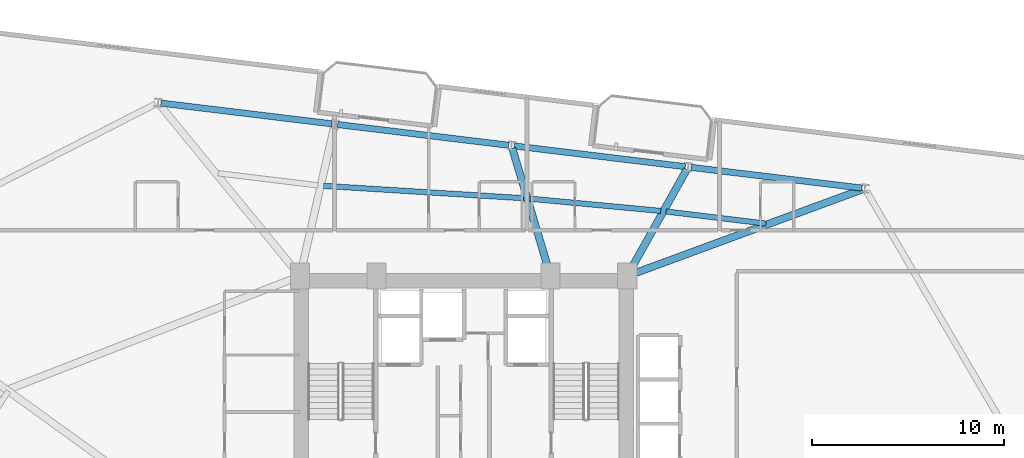
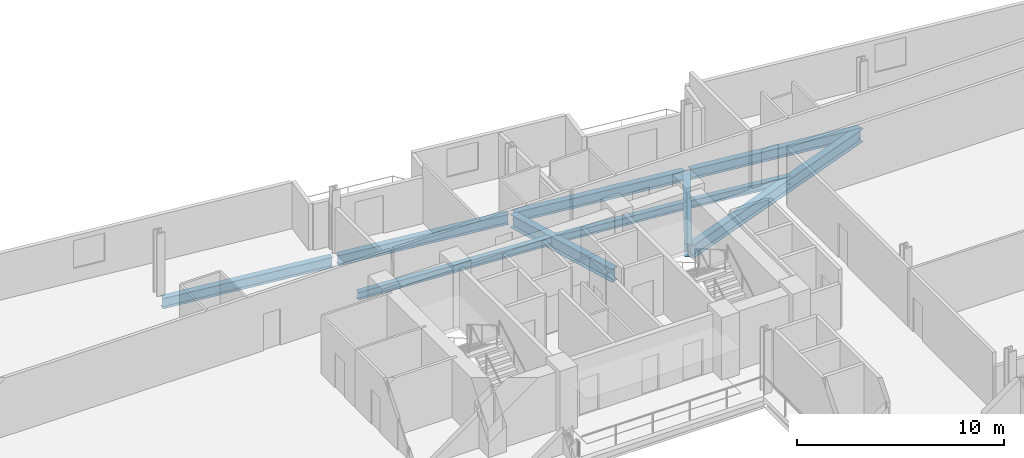
# One storey, part 13 of 26: 10 beams.
"""IFC4 building model written with IfcOpenShell, lengths in metres."""

from ifc_helpers import new_model, si_unit, direction, frame, origin, origin_2d, place, context, subcontext, project, spatial, i_section, extrude, material, material_profile, profile_set, type_object, element, save


model = new_model("IFC4")

# Units and contexts
model_context = context("Model", 3, precision=1e-05, world=origin(), true_north=direction((0.0, 1.0)))
body_context = subcontext(model_context, "Body", "Model", "MODEL_VIEW")
ifc_project = project(units=[si_unit("LENGTHUNIT", "METRE"), si_unit("AREAUNIT", "SQUARE_METRE"), si_unit("VOLUMEUNIT", "CUBIC_METRE"), si_unit("PLANEANGLEUNIT", "RADIAN"), si_unit("MASSUNIT", "GRAM", prefix="KILO")], contexts=[model_context])

# Site, building, storey
site_placement = place(None, origin())
site = spatial("IfcSite", under=ifc_project, at=site_placement, CompositionType="ELEMENT")
building_placement = place(site_placement, origin())
building = spatial("IfcBuilding", under=site, at=building_placement, Name="Varnelok Gate Tower", CompositionType="ELEMENT")
storey_placement = place(building_placement, frame((0.0, 0.0, 129.10009765625)))
storey = spatial("IfcBuildingStorey", under=building, at=storey_placement, Name="L32", CompositionType="ELEMENT", Elevation=129.10009765625)

# Beams
ifc_material = material(Name="Structural Steel ASTM A992 Grade 50", Category="steel")
ifc_material_profile_1 = material_profile(ifc_material, i_section(OverallWidth=0.280029296875, OverallDepth=0.462890625, WebThickness=0.0107421875, FlangeThickness=0.017333984375, FilletRadius=0.014892578125, at=origin_2d()), Name="W18X76")
ifc_profile_set_1 = profile_set([ifc_material_profile_1], Name="Structural Steel ASTM A992 Grade 50")
beam_type_1 = type_object("IfcBeamType", Name="BM-JST-W18X76", PredefinedType="JOIST", material=ifc_profile_set_1)
beam_1_placement = place(storey_placement, frame((54.911865234375, 41.776123046875, -0.481689453125), z_axis=(-0.99273192091, 0.120346720792, 0.0), x_axis=(-0.120346720792, -0.99273192091, 0.0)))
element("IfcBeam", 1, at=beam_1_placement, inside=storey, type_object=beam_type_1, Name="L32 Sector Floor Joist 7", PredefinedType="JOIST", context=body_context, shape_type="SweptSolid", body=[
    extrude(i_section(OverallWidth=0.280029296875, OverallDepth=0.462890625, WebThickness=0.0107421875, FlangeThickness=0.017333984375, FilletRadius=0.014892578125, at=origin_2d()), origin(), (0.0, 0.0, 1.0), 5.223876953125),
])
beam_2_placement = place(storey_placement, frame((49.44775390625, 42.4345703125, -0.481689453125), z_axis=(-0.995647510316, 0.093198901289, 0.0), x_axis=(-0.093198901289, -0.995647510316, 0.0)))
element("IfcBeam", 2, at=beam_2_placement, inside=storey, type_object=beam_type_1, Name="L32 Sector Floor Joist 8", PredefinedType="JOIST", context=body_context, shape_type="SweptSolid", body=[
    extrude(i_section(OverallWidth=0.280029296875, OverallDepth=0.462890625, WebThickness=0.0107421875, FlangeThickness=0.017333984375, FilletRadius=0.014892578125, at=origin_2d()), origin(), (0.0, 0.0, 1.0), 6.82666015625),
])
beam_3_placement = place(storey_placement, frame((42.37158203125, 43.092529296875, -0.481689453125), z_axis=(-0.998101680415, 0.061587624993, 0.0), x_axis=(-0.061587624993, -0.998101680415, 0.0)))
element("IfcBeam", 3, at=beam_3_placement, inside=storey, type_object=beam_type_1, Name="L32 Sector Floor Joist 9", PredefinedType="JOIST", context=body_context, shape_type="SweptSolid", body=[
    extrude(i_section(OverallWidth=0.280029296875, OverallDepth=0.462890625, WebThickness=0.0107421875, FlangeThickness=0.017333984375, FilletRadius=0.014892578125, at=origin_2d()), origin(), (0.0, 0.0, 1.0), 10.47705078125),
])
ifc_material_profile_2 = material_profile(ifc_material, i_section(OverallWidth=0.381103515625, OverallDepth=0.77294921875, WebThickness=0.0166015625, FlangeThickness=0.027099609375, FilletRadius=0.02197265625, at=origin_2d()), Name="W30X173")
ifc_profile_set_2 = profile_set([ifc_material_profile_2], Name="Structural Steel ASTM A992 Grade 50")
beam_type_2 = type_object("IfcBeamType", Name="BM-PRI-W30X173", PredefinedType="BEAM", material=ifc_profile_set_2)
beam_4_placement = place(storey_placement, frame((47.8408203125, 39.101806640625, -0.63671875), z_axis=(0.938296458402, 0.345831976761, 0.0), x_axis=(-0.345831976761, 0.938296458402, 0.0)))
element("IfcBeam", 4, at=beam_4_placement, inside=storey, type_object=beam_type_2, Name="L32 Radial Floor Girder 9", PredefinedType="BEAM", context=body_context, shape_type="SweptSolid", body=[
    extrude(i_section(OverallWidth=0.381103515625, OverallDepth=0.77294921875, WebThickness=0.0166015625, FlangeThickness=0.027099609375, FilletRadius=0.02197265625, at=origin_2d()), origin(), (0.0, 0.0, 1.0), 12.86669921875),
])
beam_5_placement = place(storey_placement, frame((47.773193359375, 39.180908203125, -0.63671875), z_axis=(0.48838490004, 0.872628322605, 0.0), x_axis=(-0.872628322605, 0.48838490004, 0.0)))
element("IfcBeam", 5, at=beam_5_placement, inside=storey, type_object=beam_type_2, Name="L32 Radial Floor Girder 10", PredefinedType="BEAM", context=body_context, shape_type="SweptSolid", body=[
    extrude(i_section(OverallWidth=0.381103515625, OverallDepth=0.77294921875, WebThickness=0.0166015625, FlangeThickness=0.027099609375, FilletRadius=0.02197265625, at=origin_2d()), origin(), (0.0, 0.0, 1.0), 6.193603515625),
])
beam_6_placement = place(storey_placement, frame((43.677001953125, 39.193603515625, -0.63671875), z_axis=(-0.28702069947, 0.957924380145, 0.0), x_axis=(-0.957924380145, -0.28702069947, 0.0)))
element("IfcBeam", 6, at=beam_6_placement, inside=storey, type_object=beam_type_2, Name="L32 Radial Floor Girder 11", PredefinedType="BEAM", context=body_context, shape_type="SweptSolid", body=[
    extrude(i_section(OverallWidth=0.381103515625, OverallDepth=0.77294921875, WebThickness=0.0166015625, FlangeThickness=0.027099609375, FilletRadius=0.02197265625, at=origin_2d()), origin(), (0.0, 0.0, 1.0), 6.777587890625),
])
ifc_material_profile_3 = material_profile(ifc_material, i_section(OverallWidth=0.323974609375, OverallDepth=0.611083984375, WebThickness=0.0126953125, FlangeThickness=0.01904296875, FilletRadius=0.01806640625, at=origin_2d()), Name="W24X104")
ifc_profile_set_3 = profile_set([ifc_material_profile_3], Name="Structural Steel ASTM A992 Grade 50")
beam_type_3 = type_object("IfcBeamType", Name="BM-SPN-W24X104", PredefinedType="SPANDREL", material=ifc_profile_set_3)
for number, where, z_axis, x_axis, name in (
    (7, (59.905517578125, 43.621337890625, -0.5556640625), (-0.99273141198, 0.120350918849, 0.0), (-0.120350918849, -0.99273141198, 0.0), "L32 Perimeter Spandrel Beam 9"),
    (8, (50.72265625, 44.734619140625, -0.5556640625), (-0.992734670707, 0.120324035735, 0.0), (-0.120324035735, -0.992734670707, 0.0), "L32 Perimeter Spandrel Beam 10"),
    (9, (41.539794921875, 45.847900390625, -0.5556640625), (-0.992734670707, 0.120324035735, 0.0), (-0.120324035735, -0.992734670707, 0.0), "L32 Perimeter Spandrel Beam 11"),
    (10, (32.357177734375, 46.9609375, -0.5556640625), (-0.99273141198, 0.120350918849, 0.0), (-0.120350918849, -0.99273141198, 0.0), "L32 Perimeter Spandrel Beam 12"),
):
    element("IfcBeam", number, at=place(storey_placement, frame(where, z_axis=z_axis, x_axis=x_axis)), inside=storey, type_object=beam_type_3, Name=name, PredefinedType="SPANDREL", context=body_context, shape_type="SweptSolid", body=[
        extrude(i_section(OverallWidth=0.323974609375, OverallDepth=0.611083984375, WebThickness=0.0126953125, FlangeThickness=0.01904296875, FilletRadius=0.01806640625, at=origin_2d()), origin(), (0.0, 0.0, 1.0), 8.949951171875),
    ])

save(model, "model.ifc")
